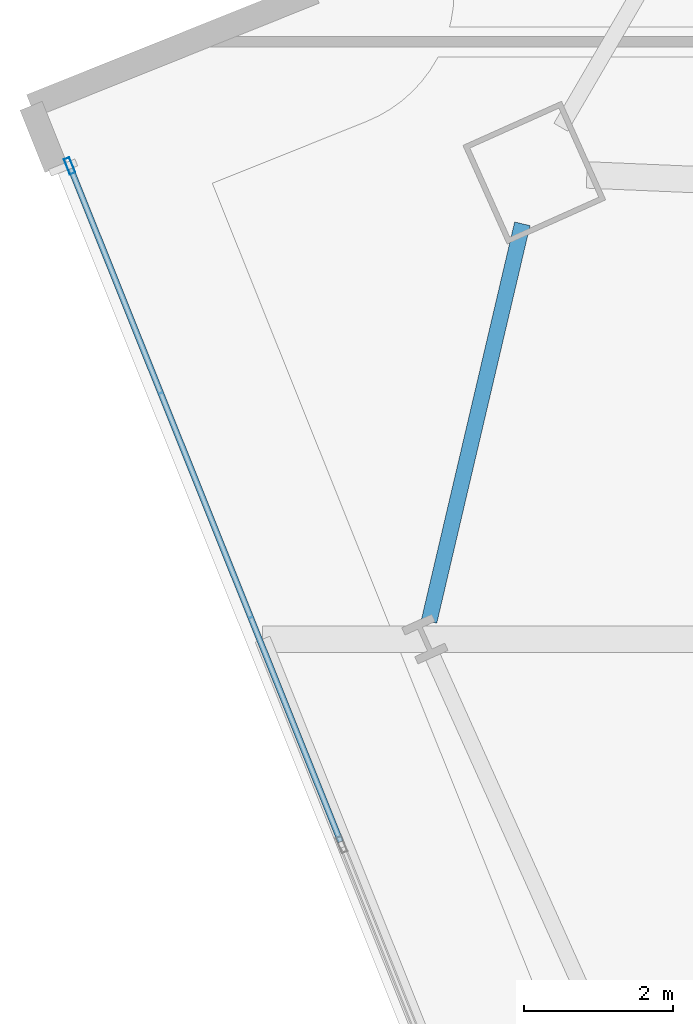
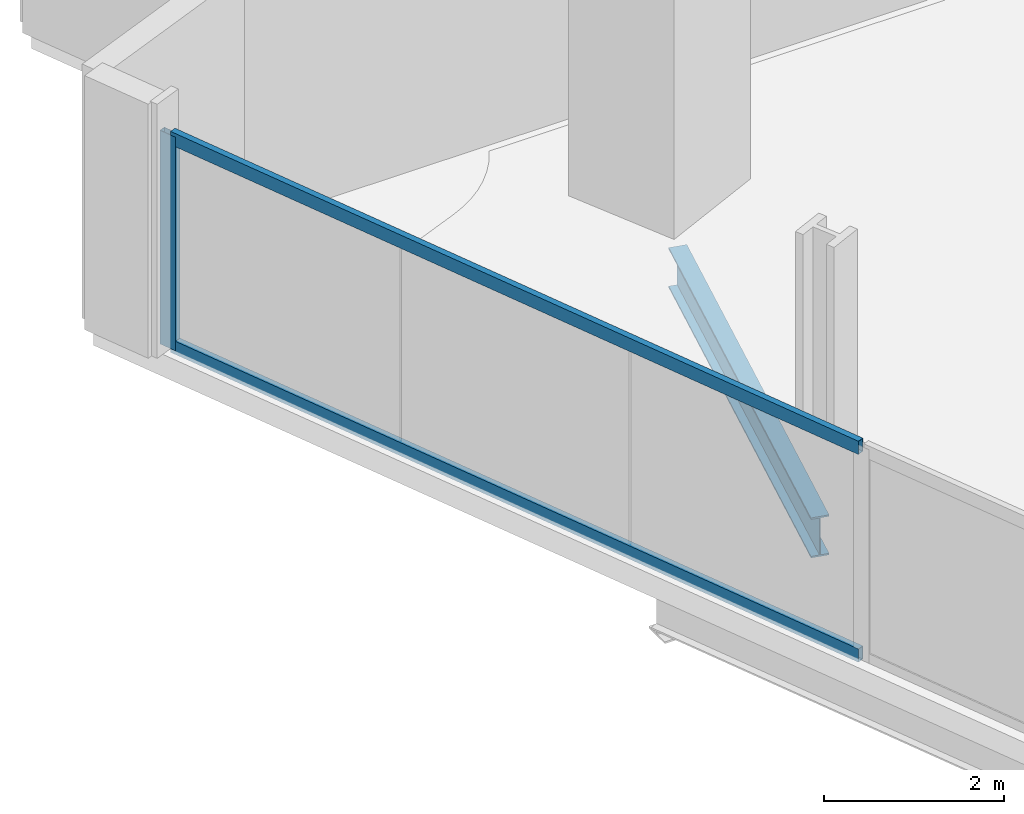
# One storey, part 14 of 33: 3 members, 1 beam, 1 element without a shape of its own.
"""IFC4 building model written with IfcOpenShell, lengths in metres."""

from ifc_helpers import new_model, si_unit, direction, frame, origin, origin_2d, place, context, subcontext, project, spatial, hollow_rectangle, i_section, extrude, material, material_profile, profile_set, type_object, element, aggregate, save


model = new_model("IFC4")

# Units and contexts
model_context = context("Model", 3, precision=1e-05, world=origin(), true_north=direction((0.0, 1.0)))
body_context = subcontext(model_context, "Body", "Model", "MODEL_VIEW")
ifc_project = project(units=[si_unit("LENGTHUNIT", "METRE"), si_unit("AREAUNIT", "SQUARE_METRE"), si_unit("VOLUMEUNIT", "CUBIC_METRE"), si_unit("PLANEANGLEUNIT", "RADIAN"), si_unit("MASSUNIT", "GRAM", prefix="KILO")], contexts=[model_context])

# Site, building, storey
site_placement = place(None, origin())
site = spatial("IfcSite", under=ifc_project, at=site_placement, CompositionType="ELEMENT")
building_placement = place(site_placement, origin())
building = spatial("IfcBuilding", under=site, at=building_placement, Name="Haldenkirk Collegiate Tower", CompositionType="ELEMENT")
storey_placement = place(building_placement, frame((0.0, 0.0, 101.699951171875)))
storey = spatial("IfcBuildingStorey", under=building, at=storey_placement, Name="L24", CompositionType="ELEMENT", Elevation=101.699951171875)

# Beam
ifc_material_1 = material(Name="Steel ASTM A992 Grade 50", Category="steel")
ifc_material_profile_1 = material_profile(ifc_material_1, i_section(OverallWidth=0.2119140625, OverallDepth=0.5439453125, WebThickness=0.01318359375, FlangeThickness=0.021240234375, at=origin_2d()), Name="W21X83")
ifc_profile_set_1 = profile_set([ifc_material_profile_1], Name="Steel ASTM A992 Grade 50")
beam_type = type_object("IfcBeamType", Name="BM-SPANDREL-W21X83", PredefinedType="SPANDREL", material=ifc_profile_set_1)
beam_placement = place(storey_placement, frame((10.624755859375, 34.0087890625, -0.572021484375), z_axis=(-0.228373515871, -0.97357359108, 0.0), x_axis=(0.97357359108, -0.228373515871, 0.0)))
element("IfcBeam", 1, at=beam_placement, inside=storey, type_object=beam_type, Name="L24 perimeter spandrel beam 13", PredefinedType="SPANDREL", context=body_context, shape_type="SweptSolid", body=[
    extrude(i_section(OverallWidth=0.2119140625, OverallDepth=0.5439453125, WebThickness=0.01318359375, FlangeThickness=0.021240234375, at=origin_2d()), origin(), (0.0, 0.0, 1.0), 5.477783203125),
])

# Curtain wall, members
ifc_material_2 = material(Name="Anodised architectural bronze aluminium", Category="aluminium")
curtain_wall_type = type_object("IfcCurtainWallType", Name="CW-SYS1-CONVEX-LOW", PredefinedType="USERDEFINED", material=ifc_material_2)
curtain_wall_placement = place(storey_placement, origin())
curtain_wall = element("IfcCurtainWall", 2, at=curtain_wall_placement, inside=storey, type_object=curtain_wall_type, Name="L24 Lower tower convex bronze-framed unitised curtain wall", ObjectType="UNITISED CURTAIN WALL", PredefinedType="USERDEFINED")
ifc_material_profile_2 = material_profile(ifc_material_2, hollow_rectangle(XDim=0.080078125, YDim=0.219970703125, WallThickness=0.0048828125, at=origin_2d()), Name="CW-MUL-1A")
ifc_profile_set_2 = profile_set([ifc_material_profile_2], Name="Anodised architectural bronze aluminium")
member_type_1 = type_object("IfcMemberType", Name="CW-MUL-1A", PredefinedType="MULLION", material=ifc_profile_set_2)
member_1_placement = place(storey_placement, frame((4.55078125, 34.786376953125, 0.0), z_axis=(0.0, 0.0, 1.0), x_axis=(-0.928162513726, -0.372175157841, 0.0)))
member_1 = element("IfcMember", 3, at=member_1_placement, type_object=member_type_1, Name="CW-1A mullion 5", PredefinedType="MULLION", context=body_context, shape_type="SweptSolid", body=[
    extrude(hollow_rectangle(XDim=0.080078125, YDim=0.219970703125, WallThickness=0.0048828125, at=origin_2d()), origin(), (0.0, 0.0, 1.0), 2.901123046875),
])
ifc_material_profile_3 = material_profile(ifc_material_2, hollow_rectangle(XDim=0.080078125, YDim=0.179931640625, WallThickness=0.0048828125, at=origin_2d()), Name="CW-TRN-1A")
ifc_profile_set_3 = profile_set([ifc_material_profile_3], Name="Anodised architectural bronze aluminium")
member_type_2 = type_object("IfcMemberType", Name="CW-TRN-1A", PredefinedType="USERDEFINED", material=ifc_profile_set_3)
member_2_placement = place(storey_placement, frame((8.186767578125, 25.71826171875, 0.0400390625), z_axis=(-0.372160605299, 0.928168348881, 0.0), x_axis=(-0.928168348881, -0.372160605299, 0.0)))
member_2 = element("IfcMember", 4, at=member_2_placement, type_object=member_type_2, Name="CW-1A transom 4.1", ObjectType="TRANSOM", PredefinedType="USERDEFINED", context=body_context, shape_type="SweptSolid", body=[
    extrude(hollow_rectangle(XDim=0.080078125, YDim=0.179931640625, WallThickness=0.0048828125, at=origin_2d()), origin(), (0.0, 0.0, 1.0), 9.72998046875),
])
member_3_placement = place(storey_placement, frame((8.186767578125, 25.71826171875, 2.861083984375), z_axis=(-0.372160605299, 0.928168348881, 0.0), x_axis=(-0.928168348881, -0.372160605299, 0.0)))
member_3 = element("IfcMember", 5, at=member_3_placement, type_object=member_type_2, Name="CW-1A transom 4.2", ObjectType="TRANSOM", PredefinedType="USERDEFINED", context=body_context, shape_type="SweptSolid", body=[
    extrude(hollow_rectangle(XDim=0.080078125, YDim=0.179931640625, WallThickness=0.0048828125, at=origin_2d()), origin(), (0.0, 0.0, 1.0), 9.72998046875),
])
aggregate(curtain_wall, [member_1, member_2, member_3])

save(model, "model.ifc")
